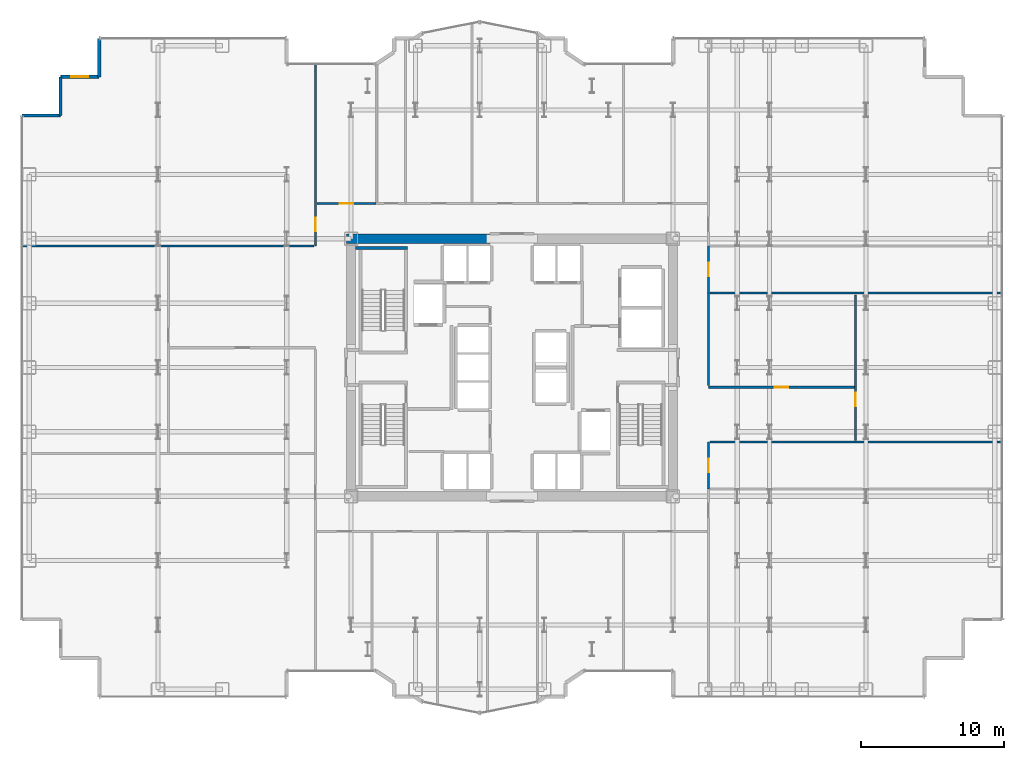
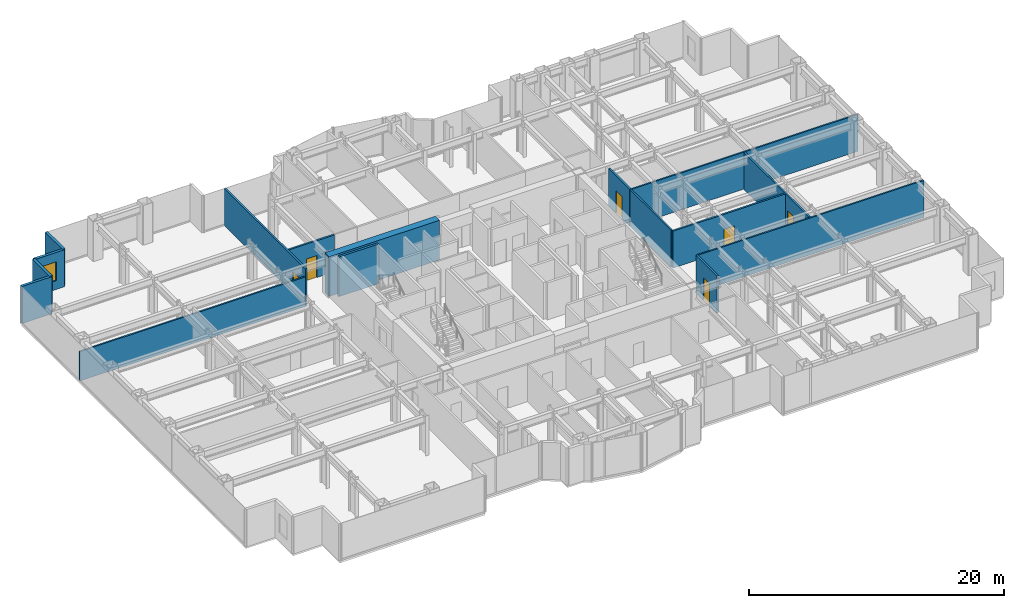
# One storey, part 23 of 26: 16 walls, 6 doors, 1 window, 7 openings.
"""IFC4 building model written with IfcOpenShell, lengths in metres."""

from ifc_helpers import new_model, si_unit, direction, frame, frame_2d, origin, place, context, subcontext, project, spatial, rectangle, extrude, source, transform, mapped, material, layer, layer_set, type_object, element, fill, save


model = new_model("IFC4")

# Units and contexts
model_context = context("Model", 3, precision=1e-05, world=origin(), true_north=direction((0.0, 1.0)))
body_context = subcontext(model_context, "Body", "Model", "MODEL_VIEW")
ifc_project = project(units=[si_unit("LENGTHUNIT", "METRE"), si_unit("AREAUNIT", "SQUARE_METRE"), si_unit("VOLUMEUNIT", "CUBIC_METRE"), si_unit("PLANEANGLEUNIT", "RADIAN"), si_unit("MASSUNIT", "GRAM", prefix="KILO")], contexts=[model_context])

# Site, building, storey
site_placement = place(None, origin())
site = spatial("IfcSite", under=ifc_project, at=site_placement, CompositionType="ELEMENT")
building_placement = place(site_placement, origin())
building = spatial("IfcBuilding", under=site, at=building_placement, Name="Nefas-Gora Pilgrimage Tower", CompositionType="ELEMENT")
storey_placement = place(building_placement, frame((0.0, 0.0, 63.39990234375)))
storey = spatial("IfcBuildingStorey", under=building, at=storey_placement, Name="L14", CompositionType="ELEMENT", Elevation=63.39990234375)

# Walls
ifc_material_1 = material(Name="Concrete C60/75", Category="concrete")
ifc_layer_1 = layer(ifc_material_1, 0.64990234375)
ifc_layer_set_1 = layer_set([ifc_layer_1], Name="Concrete C60/75")
wall_type_1 = type_object("IfcWallType", Name="SW-CORE-650", PredefinedType="SHEAR", material=ifc_layer_set_1)
shared_shape_1 = source(origin(), body_context, "Body", "SweptSolid", [
    extrude(rectangle(XDim=10.02490234375, YDim=0.64990234375, at=frame_2d((5.012451171875, 0.0))), origin(), (0.0, 0.0, 1.0), 3.800048828125),
])
wall_1_placement = place(storey_placement, frame((-11.574951171875, 9.0, 0.0), z_axis=(0.0, 0.0, 1.0), x_axis=(1.0, 0.0, 0.0)))
element("IfcWall", 1, at=wall_1_placement, inside=storey, type_object=wall_type_1, Name="L14 Core Shear Wall N-West", PredefinedType="SHEAR", context=body_context, shape_type="MappedRepresentation", body=[
    mapped(shared_shape_1, transform((0.0, 0.0, 0.0), x_axis=(1.0, 0.0, 0.0), y_axis=(0.0, 1.0, 0.0), z_axis=(0.0, 0.0, 1.0), scale=1.0)),
])
ifc_material_2 = material(Name="Precast concrete C45/55", Category="concrete")
ifc_layer_2 = layer(ifc_material_2, 0.239990234375)
ifc_layer_set_2 = layer_set([ifc_layer_2], Name="Precast concrete C45/55")
wall_type_2 = type_object("IfcWallType", Name="EW-SERR-240", PredefinedType="SHEAR", material=ifc_layer_set_2)
shared_shape_2 = source(origin(), body_context, "Body", "SweptSolid", [
    extrude(rectangle(XDim=2.699951171875, YDim=0.239990234375, at=frame_2d((1.35009765625, 0.0))), origin(), (0.0, 0.0, 1.0), 3.550048828125),
])
wall_2_placement = place(storey_placement, frame((-28.8701171875, 23.02001953125, 0.0), z_axis=(0.0, 0.0, 1.0), x_axis=(0.0, -1.0, 0.0)))
element("IfcWall", 2, at=wall_2_placement, inside=storey, type_object=wall_type_2, Name="L14 Serrated Corner Shear Pier Wall 20", PredefinedType="SHEAR", context=body_context, shape_type="MappedRepresentation", body=[
    mapped(shared_shape_2, transform((0.0, 0.0, 0.0), x_axis=(1.0, 0.0, 0.0), y_axis=(0.0, 1.0, 0.0), z_axis=(0.0, 0.0, 1.0), scale=1.0)),
])

# Wall, opening, window
wall_3_placement = place(storey_placement, frame((-28.8701171875, 20.320068359375, 0.0), z_axis=(0.0, 0.0, 1.0), x_axis=(-1.0, 0.0, 0.0)))
wall_3 = element("IfcWall", 3, at=wall_3_placement, inside=storey, type_object=wall_type_2, Name="L14 Serrated Corner Shear Pier Wall 21", PredefinedType="SHEAR", context=body_context, shape_type="MappedRepresentation", body=[
    mapped(shared_shape_2, transform((0.0, 0.0, 0.0), x_axis=(1.0, 0.0, 0.0), y_axis=(0.0, 1.0, 0.0), z_axis=(0.0, 0.0, 1.0), scale=1.0)),
])
opening_1_placement = place(wall_3_placement, frame((0.75, 0.0, 0.85009765625)))
opening_1 = element("IfcOpeningElement", 4, at=opening_1_placement, cuts=wall_3, Name="Opening W-V1", PredefinedType="OPENING", context=body_context, shape_type="SweptSolid", body=[
    extrude(rectangle(XDim=1.199951171875, YDim=1.800048828125, at=frame_2d((0.60009765625, 0.89990234375))), frame((0.0, 0.1298828125, 0.0), z_axis=(0.0, -1.0, 0.0), x_axis=(1.0, 0.0, 0.0)), (0.0, 0.0, 1.0), 0.260009765625),
])
ifc_material_3 = material(Name="Dark ceramic-fritted operable aluminium-glass window", Category="aluminium")
window_type = type_object("IfcWindowType", Name="WIN-VENT-1200x1800", PartitioningType="SINGLE_PANEL", PredefinedType="WINDOW", material=ifc_material_3)
shared_shape_3 = source(origin(), body_context, "Body", "SweptSolid", [
    extrude(rectangle(XDim=1.199951171875, YDim=1.800048828125, at=frame_2d((0.60009765625, 0.89990234375))), frame((0.0, 0.030029296875, 0.0), z_axis=(0.0, -1.0, 0.0), x_axis=(1.0, 0.0, 0.0)), (0.0, 0.0, 1.0), 0.06005859375),
])
window_placement = place(opening_1_placement, origin())
window = element("IfcWindow", 5, at=window_placement, inside=storey, type_object=window_type, Name="L14 Operable Parallel-Outswing Window 21", OverallHeight=1.800048828125, OverallWidth=1.199951171875, PartitioningType="SINGLE_PANEL", PredefinedType="WINDOW", context=body_context, shape_type="MappedRepresentation", body=[
    mapped(shared_shape_3, transform((0.0, 0.0, 0.0), x_axis=(1.0, 0.0, 0.0), y_axis=(0.0, 1.0, 0.0), z_axis=(0.0, 0.0, 1.0), scale=1.0)),
])
fill(opening_1, window)

# Walls
for number, where, z_axis, x_axis, name in (
    (6, (-31.570068359375, 20.320068359375, 0.0), (0.0, 0.0, 1.0), (0.0, -1.0, 0.0), "L14 Serrated Corner Shear Pier Wall 22"),
    (7, (-31.570068359375, 17.6201171875, 0.0), (0.0, 0.0, 1.0), (-1.0, 0.0, 0.0), "L14 Serrated Corner Shear Pier Wall 23"),
):
    element("IfcWall", number, at=place(storey_placement, frame(where, z_axis=z_axis, x_axis=x_axis)), inside=storey, type_object=wall_type_2, Name=name, PredefinedType="SHEAR", context=body_context, shape_type="MappedRepresentation", body=[
        mapped(shared_shape_2, transform((0.0, 0.0, 0.0), x_axis=(1.0, 0.0, 0.0), y_axis=(0.0, 1.0, 0.0), z_axis=(0.0, 0.0, 1.0), scale=1.0)),
    ])
ifc_material_4 = material(Name="Concrete C45/55", Category="concrete")
ifc_layer_3 = layer(ifc_material_4, 0.199951171875)
ifc_layer_set_3 = layer_set([ifc_layer_3], Name="Concrete C45/55")
wall_type_3 = type_object("IfcWallType", Name="IW-STAIR-200", PredefinedType="SOLIDWALL", material=ifc_layer_set_3)
shared_shape_4 = source(origin(), body_context, "Body", "SweptSolid", [
    extrude(rectangle(XDim=3.6298828125, YDim=0.199951171875, at=frame_2d((1.81494140625, 0.0))), origin(), (0.0, 0.0, 1.0), 3.800048828125),
])
wall_4_placement = place(storey_placement, frame((-7.300048828125, 8.35009765625, 0.0), z_axis=(0.0, 0.0, 1.0), x_axis=(-1.0, 0.0, 0.0)))
element("IfcWall", 8, at=wall_4_placement, inside=storey, type_object=wall_type_3, Name="L14 Stairwell Shear Wall ST-01-far", PredefinedType="SOLIDWALL", context=body_context, shape_type="MappedRepresentation", body=[
    mapped(shared_shape_4, transform((0.0, 0.0, 0.0), x_axis=(1.0, 0.0, 0.0), y_axis=(0.0, 1.0, 0.0), z_axis=(0.0, 0.0, 1.0), scale=1.0)),
])

# Wall, opening, door
ifc_material_5 = material(Name="Gypsum acoustic stud partition")
ifc_layer_4 = layer(ifc_material_5, 0.159912109375)
ifc_layer_set_4 = layer_set([ifc_layer_4], Name="Gypsum acoustic stud partition")
wall_type_4 = type_object("IfcWallType", Name="IW-CORR-160", PredefinedType="PARTITIONING", material=ifc_layer_set_4)
shared_shape_5 = source(origin(), body_context, "Body", "SweptSolid", [
    extrude(rectangle(XDim=10.25, YDim=0.159912109375, at=frame_2d((5.125, 0.0))), origin(), (0.0, 0.0, 1.0), 3.53515625),
])
wall_5_placement = place(storey_placement, frame((13.72998046875, -1.3798828125, 0.0), z_axis=(0.0, 0.0, 1.0), x_axis=(1.0, 0.0, 0.0)))
wall_5 = element("IfcWall", 9, at=wall_5_placement, inside=storey, type_object=wall_type_4, Name="L14 Pilgrim Contemplative Lounge Partition Wall 34", PredefinedType="PARTITIONING", context=body_context, shape_type="MappedRepresentation", body=[
    mapped(shared_shape_5, transform((0.0, 0.0, 0.0), x_axis=(1.0, 0.0, 0.0), y_axis=(0.0, 1.0, 0.0), z_axis=(0.0, 0.0, 1.0), scale=1.0)),
])
opening_2_placement = place(wall_5_placement, frame((4.64990234375, 0.0, 0.0)))
opening_2 = element("IfcOpeningElement", 10, at=opening_2_placement, cuts=wall_5, Name="Opening ID-GR1", PredefinedType="OPENING", context=body_context, shape_type="SweptSolid", body=[
    extrude(rectangle(XDim=0.949951171875, YDim=2.10009765625, at=frame_2d((0.47509765625, 1.050048828125))), frame((0.0, 0.08984375, 0.0), z_axis=(0.0, -1.0, 0.0), x_axis=(1.0, 0.0, 0.0)), (0.0, 0.0, 1.0), 0.179931640625),
])
ifc_material_6 = material(Name="Solid core oak fire-rated guest entrance door")
door_type = type_object("IfcDoorType", Name="DR-INT-GUEST-950", OperationType="NOTDEFINED", PredefinedType="DOOR", material=ifc_material_6)
shared_shape_6 = source(origin(), body_context, "Body", "SweptSolid", [
    extrude(rectangle(XDim=0.949951171875, YDim=2.10009765625, at=frame_2d((0.47509765625, 1.050048828125))), frame((0.0, 0.02490234375, 0.0), z_axis=(0.0, -1.0, 0.0), x_axis=(1.0, 0.0, 0.0)), (0.0, 0.0, 1.0), 0.050048828125),
])
door_1_placement = place(opening_2_placement, origin())
door_1 = element("IfcDoor", 11, at=door_1_placement, inside=storey, type_object=door_type, Name="L14 Pilgrim Contemplative Lounge Door 15", OperationType="SINGLE_SWING_RIGHT", OverallHeight=2.10009765625, OverallWidth=0.949951171875, PredefinedType="DOOR", context=body_context, shape_type="MappedRepresentation", body=[
    mapped(shared_shape_6, transform((0.0, 0.0, 0.0), x_axis=(1.0, 0.0, 0.0), y_axis=(0.0, 1.0, 0.0), z_axis=(0.0, 0.0, 1.0), scale=1.0)),
])
fill(opening_2, door_1)

shared_shape_7 = source(origin(), body_context, "Body", "SweptSolid", [
    extrude(rectangle(XDim=4.125, YDim=0.159912109375, at=frame_2d((2.0625, 0.0))), origin(), (0.0, 0.0, 1.0), 3.53515625),
])
wall_6_placement = place(storey_placement, frame((-13.6201171875, 11.469970703125, 0.0), z_axis=(0.0, 0.0, 1.0), x_axis=(1.0, 0.0, 0.0)))
wall_6 = element("IfcWall", 12, at=wall_6_placement, inside=storey, type_object=wall_type_4, Name="L14 Pilgrim Contemplative Lounge Partition Wall 41", PredefinedType="PARTITIONING", context=body_context, shape_type="MappedRepresentation", body=[
    mapped(shared_shape_7, transform((0.0, 0.0, 0.0), x_axis=(1.0, 0.0, 0.0), y_axis=(0.0, 1.0, 0.0), z_axis=(0.0, 0.0, 1.0), scale=1.0)),
])
opening_3_placement = place(wall_6_placement, frame((1.58740234375, 0.0, 0.0)))
opening_3 = element("IfcOpeningElement", 13, at=opening_3_placement, cuts=wall_6, Name="Opening ID-GR1", PredefinedType="OPENING", context=body_context, shape_type="SweptSolid", body=[
    extrude(rectangle(XDim=0.949951171875, YDim=2.10009765625, at=frame_2d((0.47509765625, 1.050048828125))), frame((0.0, 0.08984375, 0.0), z_axis=(0.0, -1.0, 0.0), x_axis=(1.0, 0.0, 0.0)), (0.0, 0.0, 1.0), 0.179931640625),
])
door_2_placement = place(opening_3_placement, origin())
door_2 = element("IfcDoor", 14, at=door_2_placement, inside=storey, type_object=door_type, Name="L14 Pilgrim Contemplative Lounge Door 19", OperationType="SINGLE_SWING_RIGHT", OverallHeight=2.10009765625, OverallWidth=0.949951171875, PredefinedType="DOOR", context=body_context, shape_type="MappedRepresentation", body=[
    mapped(shared_shape_6, transform((0.0, 0.0, 0.0), x_axis=(1.0, 0.0, 0.0), y_axis=(0.0, 1.0, 0.0), z_axis=(0.0, 0.0, 1.0), scale=1.0)),
])
fill(opening_3, door_2)

# Wall
ifc_material_7 = material(Name="Gypsum twin-stud partition")
ifc_layer_5 = layer(ifc_material_7, 0.139892578125)
ifc_layer_set_5 = layer_set([ifc_layer_5], Name="Gypsum twin-stud partition")
wall_type_5 = type_object("IfcWallType", Name="IW-UNIT-140", PredefinedType="PARTITIONING", material=ifc_layer_set_5)
shared_shape_8 = source(origin(), body_context, "Body", "SweptSolid", [
    extrude(rectangle(XDim=20.429931640625, YDim=0.139892578125, at=frame_2d((10.21484375, 0.0))), origin(), (0.0, 0.0, 1.0), 3.53515625),
])
wall_7_placement = place(storey_placement, frame((13.860107421875, -5.205078125, 0.0), z_axis=(0.0, 0.0, 1.0), x_axis=(1.0, 0.0, 0.0)))
element("IfcWall", 15, at=wall_7_placement, inside=storey, type_object=wall_type_5, Name="L14 Pilgrim Contemplative Lounge Partition Wall 33", PredefinedType="PARTITIONING", context=body_context, shape_type="MappedRepresentation", body=[
    mapped(shared_shape_8, transform((0.0, 0.0, 0.0), x_axis=(1.0, 0.0, 0.0), y_axis=(0.0, 1.0, 0.0), z_axis=(0.0, 0.0, 1.0), scale=1.0)),
])

# Wall, opening, door
shared_shape_9 = source(origin(), body_context, "Body", "SweptSolid", [
    extrude(rectangle(XDim=12.75244140625, YDim=0.159912109375, at=frame_2d((6.376220703125, 0.0))), origin(), (0.0, 0.0, 1.0), 3.53515625),
])
wall_8_placement = place(storey_placement, frame((-13.739990234375, 8.487548828125, 0.0), z_axis=(0.0, 0.0, 1.0), x_axis=(0.0, 1.0, 0.0)))
wall_8 = element("IfcWall", 16, at=wall_8_placement, inside=storey, type_object=wall_type_4, Name="L14 Pilgrim Tea and Beverage Pantry Partition Wall 25", PredefinedType="PARTITIONING", context=body_context, shape_type="MappedRepresentation", body=[
    mapped(shared_shape_9, transform((0.0, 0.0, 0.0), x_axis=(1.0, 0.0, 0.0), y_axis=(0.0, 1.0, 0.0), z_axis=(0.0, 0.0, 1.0), scale=1.0)),
])
opening_4_placement = place(wall_8_placement, frame((1.0361328125, 0.0, 0.0)))
opening_4 = element("IfcOpeningElement", 17, at=opening_4_placement, cuts=wall_8, Name="Opening ID-GR1", PredefinedType="OPENING", context=body_context, shape_type="SweptSolid", body=[
    extrude(rectangle(XDim=0.949951171875, YDim=2.10009765625, at=frame_2d((0.47509765625, 1.050048828125))), frame((0.0, 0.08984375, 0.0), z_axis=(0.0, -1.0, 0.0), x_axis=(1.0, 0.0, 0.0)), (0.0, 0.0, 1.0), 0.179931640625),
])
door_3_placement = place(opening_4_placement, origin())
door_3 = element("IfcDoor", 18, at=door_3_placement, inside=storey, type_object=door_type, Name="L14 Pilgrim Tea and Beverage Pantry Door 10", OperationType="SINGLE_SWING_LEFT", OverallHeight=2.10009765625, OverallWidth=0.949951171875, PredefinedType="DOOR", context=body_context, shape_type="MappedRepresentation", body=[
    mapped(shared_shape_6, transform((0.0, 0.0, 0.0), x_axis=(1.0, 0.0, 0.0), y_axis=(0.0, 1.0, 0.0), z_axis=(0.0, 0.0, 1.0), scale=1.0)),
])
fill(opening_4, door_3)

# Wall
shared_shape_10 = source(origin(), body_context, "Body", "SweptSolid", [
    extrude(rectangle(XDim=20.429931640625, YDim=0.139892578125, at=frame_2d((10.21484375, 0.0))), origin(), (0.0, 0.0, 1.0), 2.8251953125),
])
wall_9_placement = place(storey_placement, frame((-34.2900390625, 8.49755859375, 0.0), z_axis=(0.0, 0.0, 1.0), x_axis=(1.0, 0.0, 0.0)))
element("IfcWall", 19, at=wall_9_placement, inside=storey, type_object=wall_type_5, Name="L14 Pilgrim Tea and Beverage Pantry Partition Wall 26", PredefinedType="PARTITIONING", context=body_context, shape_type="MappedRepresentation", body=[
    mapped(shared_shape_10, transform((0.0, 0.0, 0.0), x_axis=(1.0, 0.0, 0.0), y_axis=(0.0, 1.0, 0.0), z_axis=(0.0, 0.0, 1.0), scale=1.0)),
])

# Wall, opening, door
shared_shape_11 = source(origin(), body_context, "Body", "SweptSolid", [
    extrude(rectangle(XDim=3.309814453125, YDim=0.159912109375, at=frame_2d((1.65478515625, 0.0))), origin(), (0.0, 0.0, 1.0), 3.53515625),
])
wall_10_placement = place(storey_placement, frame((13.739990234375, -8.5048828125, 0.0), z_axis=(0.0, 0.0, 1.0), x_axis=(0.0, 1.0, 0.0)))
wall_10 = element("IfcWall", 20, at=wall_10_placement, inside=storey, type_object=wall_type_4, Name="L14 Pilgrim Contemplative Lounge Partition Wall 32", PredefinedType="PARTITIONING", context=body_context, shape_type="MappedRepresentation", body=[
    mapped(shared_shape_11, transform((0.0, 0.0, 0.0), x_axis=(1.0, 0.0, 0.0), y_axis=(0.0, 1.0, 0.0), z_axis=(0.0, 0.0, 1.0), scale=1.0)),
])
opening_5_placement = place(wall_10_placement, frame((1.179931640625, 0.0, 0.0)))
opening_5 = element("IfcOpeningElement", 21, at=opening_5_placement, cuts=wall_10, Name="Opening ID-GR1", PredefinedType="OPENING", context=body_context, shape_type="SweptSolid", body=[
    extrude(rectangle(XDim=0.949951171875, YDim=2.10009765625, at=frame_2d((0.47509765625, 1.050048828125))), frame((0.0, 0.08984375, 0.0), z_axis=(0.0, -1.0, 0.0), x_axis=(1.0, 0.0, 0.0)), (0.0, 0.0, 1.0), 0.179931640625),
])
door_4_placement = place(opening_5_placement, origin())
door_4 = element("IfcDoor", 22, at=door_4_placement, inside=storey, type_object=door_type, Name="L14 Pilgrim Contemplative Lounge Door 14", OperationType="SINGLE_SWING_LEFT", OverallHeight=2.10009765625, OverallWidth=0.949951171875, PredefinedType="DOOR", context=body_context, shape_type="MappedRepresentation", body=[
    mapped(shared_shape_6, transform((0.0, 0.0, 0.0), x_axis=(1.0, 0.0, 0.0), y_axis=(0.0, 1.0, 0.0), z_axis=(0.0, 0.0, 1.0), scale=1.0)),
])
fill(opening_5, door_4)

wall_11_placement = place(storey_placement, frame((13.739990234375, 5.195068359375, 0.0), z_axis=(0.0, 0.0, 1.0), x_axis=(0.0, 1.0, 0.0)))
wall_11 = element("IfcWall", 23, at=wall_11_placement, inside=storey, type_object=wall_type_4, Name="L14 Pilgrim Contemplative Lounge Partition Wall 38", PredefinedType="PARTITIONING", context=body_context, shape_type="MappedRepresentation", body=[
    mapped(shared_shape_11, transform((0.0, 0.0, 0.0), x_axis=(1.0, 0.0, 0.0), y_axis=(0.0, 1.0, 0.0), z_axis=(0.0, 0.0, 1.0), scale=1.0)),
])
opening_6_placement = place(wall_11_placement, frame((1.179931640625, 0.0, 0.0)))
opening_6 = element("IfcOpeningElement", 24, at=opening_6_placement, cuts=wall_11, Name="Opening ID-GR1", PredefinedType="OPENING", context=body_context, shape_type="SweptSolid", body=[
    extrude(rectangle(XDim=0.949951171875, YDim=2.10009765625, at=frame_2d((0.47509765625, 1.050048828125))), frame((0.0, 0.08984375, 0.0), z_axis=(0.0, -1.0, 0.0), x_axis=(1.0, 0.0, 0.0)), (0.0, 0.0, 1.0), 0.179931640625),
])
door_5_placement = place(opening_6_placement, origin())
door_5 = element("IfcDoor", 25, at=door_5_placement, inside=storey, type_object=door_type, Name="L14 Pilgrim Contemplative Lounge Door 17", OperationType="SINGLE_SWING_RIGHT", OverallHeight=2.10009765625, OverallWidth=0.949951171875, PredefinedType="DOOR", context=body_context, shape_type="MappedRepresentation", body=[
    mapped(shared_shape_6, transform((0.0, 0.0, 0.0), x_axis=(1.0, 0.0, 0.0), y_axis=(0.0, 1.0, 0.0), z_axis=(0.0, 0.0, 1.0), scale=1.0)),
])
fill(opening_6, door_5)

# Walls
shared_shape_12 = source(origin(), body_context, "Body", "SweptSolid", [
    extrude(rectangle(XDim=6.465087890625, YDim=0.139892578125, at=frame_2d((3.232421875, 0.0))), origin(), (0.0, 0.0, 1.0), 3.53515625),
])
wall_12_placement = place(storey_placement, frame((13.739990234375, -1.260009765625, 0.0), z_axis=(0.0, 0.0, 1.0), x_axis=(0.0, 1.0, 0.0)))
element("IfcWall", 26, at=wall_12_placement, inside=storey, type_object=wall_type_5, Name="L14 Pilgrim Contemplative Lounge Partition Wall 35", PredefinedType="PARTITIONING", context=body_context, shape_type="MappedRepresentation", body=[
    mapped(shared_shape_12, transform((0.0, 0.0, 0.0), x_axis=(1.0, 0.0, 0.0), y_axis=(0.0, 1.0, 0.0), z_axis=(0.0, 0.0, 1.0), scale=1.0)),
])
shared_shape_13 = source(origin(), body_context, "Body", "SweptSolid", [
    extrude(rectangle(XDim=20.43994140625, YDim=0.139892578125, at=frame_2d((10.219970703125, 0.0))), origin(), (0.0, 0.0, 1.0), 3.53515625),
])
wall_13_placement = place(storey_placement, frame((13.85009765625, 5.195068359375, 0.0), z_axis=(0.0, 0.0, 1.0), x_axis=(1.0, 0.0, 0.0)))
element("IfcWall", 27, at=wall_13_placement, inside=storey, type_object=wall_type_5, Name="L14 Pilgrim Contemplative Lounge Partition Wall 36", PredefinedType="PARTITIONING", context=body_context, shape_type="MappedRepresentation", body=[
    mapped(shared_shape_13, transform((0.0, 0.0, 0.0), x_axis=(1.0, 0.0, 0.0), y_axis=(0.0, 1.0, 0.0), z_axis=(0.0, 0.0, 1.0), scale=1.0)),
])

# Wall, opening, door
shared_shape_14 = source(origin(), body_context, "Body", "SweptSolid", [
    extrude(rectangle(XDim=10.179931640625, YDim=0.159912109375, at=frame_2d((5.08984375, 0.0))), origin(), (0.0, 0.0, 1.0), 3.53515625),
])
wall_14_placement = place(storey_placement, frame((24.02001953125, -5.094970703125, 0.0), z_axis=(0.0, 0.0, 1.0), x_axis=(0.0, 1.0, 0.0)))
wall_14 = element("IfcWall", 28, at=wall_14_placement, inside=storey, type_object=wall_type_4, Name="L14 Pilgrim Contemplative Lounge Partition Wall 37", PredefinedType="PARTITIONING", context=body_context, shape_type="MappedRepresentation", body=[
    mapped(shared_shape_14, transform((0.0, 0.0, 0.0), x_axis=(1.0, 0.0, 0.0), y_axis=(0.0, 1.0, 0.0), z_axis=(0.0, 0.0, 1.0), scale=1.0)),
])
opening_7_placement = place(wall_14_placement, frame((2.3701171875, 0.0, 0.0)))
opening_7 = element("IfcOpeningElement", 29, at=opening_7_placement, cuts=wall_14, Name="Opening ID-GR1", PredefinedType="OPENING", context=body_context, shape_type="SweptSolid", body=[
    extrude(rectangle(XDim=0.949951171875, YDim=2.10009765625, at=frame_2d((0.47509765625, 1.050048828125))), frame((0.0, 0.08984375, 0.0), z_axis=(0.0, -1.0, 0.0), x_axis=(1.0, 0.0, 0.0)), (0.0, 0.0, 1.0), 0.179931640625),
])
door_6_placement = place(opening_7_placement, origin())
door_6 = element("IfcDoor", 30, at=door_6_placement, inside=storey, type_object=door_type, Name="L14 Pilgrim Contemplative Lounge Door 16", OperationType="SINGLE_SWING_LEFT", OverallHeight=2.10009765625, OverallWidth=0.949951171875, PredefinedType="DOOR", context=body_context, shape_type="MappedRepresentation", body=[
    mapped(shared_shape_6, transform((0.0, 0.0, 0.0), x_axis=(1.0, 0.0, 0.0), y_axis=(0.0, 1.0, 0.0), z_axis=(0.0, 0.0, 1.0), scale=1.0)),
])
fill(opening_7, door_6)

save(model, "model.ifc")
